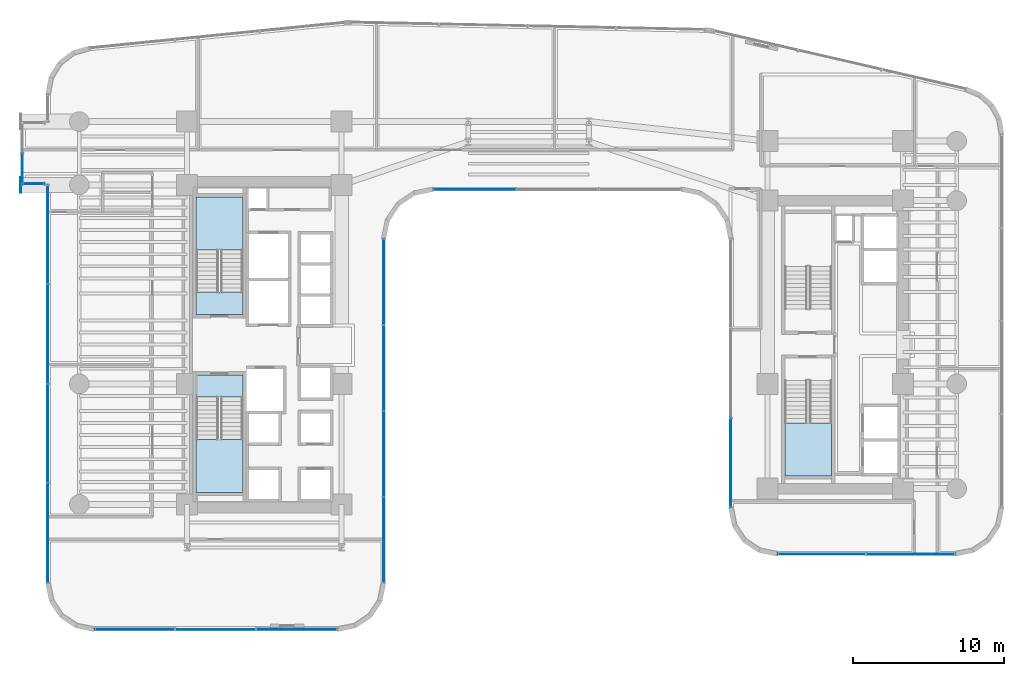
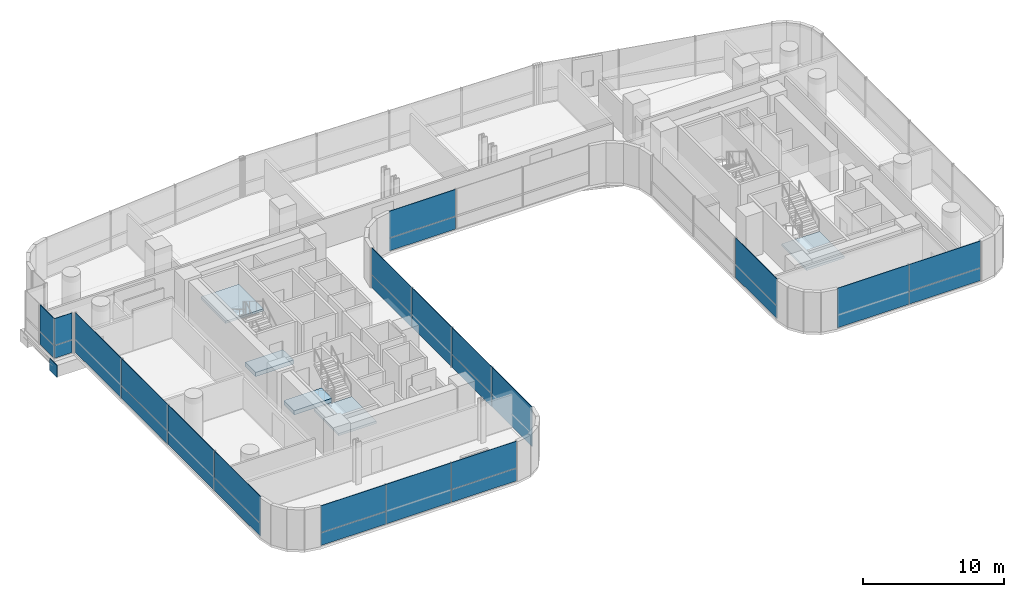
# One storey, part 29 of 40: 29 plates, 5 slabs, 11 elements without a shape of their own.
"""IFC4 building model written with IfcOpenShell, lengths in metres."""

from ifc_helpers import new_model, si_unit, direction, frame, origin, origin_2d, place, context, subcontext, project, spatial, polyline, rectangle, outline, extrude, source, transform, mapped, material, layer, layer_set, type_object, element, aggregate, save


model = new_model("IFC4")

# Units and contexts
model_context = context("Model", 3, precision=1e-05, world=origin(), true_north=direction((0.0, 1.0)))
body_context = subcontext(model_context, "Body", "Model", "MODEL_VIEW")
ifc_project = project(units=[si_unit("LENGTHUNIT", "METRE"), si_unit("AREAUNIT", "SQUARE_METRE"), si_unit("VOLUMEUNIT", "CUBIC_METRE"), si_unit("PLANEANGLEUNIT", "RADIAN"), si_unit("MASSUNIT", "GRAM", prefix="KILO")], contexts=[model_context])

# Site, building, storey
site_placement = place(None, origin())
site = spatial("IfcSite", under=ifc_project, at=site_placement, CompositionType="ELEMENT")
building_placement = place(site_placement, origin())
building = spatial("IfcBuilding", under=site, at=building_placement, Name="Valdorenza Pilgrim Sanctuary Tower", CompositionType="ELEMENT")
storey_placement = place(building_placement, frame((0.0, 0.0, 51.89990234375)))
storey = spatial("IfcBuildingStorey", under=building, at=storey_placement, Name="L12", CompositionType="ELEMENT", Elevation=51.89990234375)

# Stair, slab
ifc_material_1 = material(Name="Concrete C40/50", Category="concrete")
stair_type = type_object("IfcStairType", Name="STR-DOG-CORE", PredefinedType="HALF_TURN_STAIR", material=ifc_material_1)
stair_1_placement = place(storey_placement, origin())
stair_1 = element("IfcStair", 1, at=stair_1_placement, inside=storey, type_object=stair_type, Name="L12 ST-A1", PredefinedType="HALF_TURN_STAIR")
ifc_layer_1 = layer(ifc_material_1, 0.199951171875, Name="Concrete C40/50")
ifc_layer_set_1 = layer_set([ifc_layer_1], Name="Concrete C40/50")
slab_type_1 = type_object("IfcSlabType", Name="SLAB-STL-200", PredefinedType="LANDING", material=ifc_layer_set_1)
slab_1_placement = place(storey_placement, frame((0.0, 0.0, 1.650146484375)))
slab_1 = element("IfcSlab", 2, at=slab_1_placement, type_object=slab_type_1, Name="ST-A1 landing 1", PredefinedType="LANDING", context=body_context, shape_type="SweptSolid", body=[
    extrude(outline(polyline([(-18.93994140625, 6.280029296875), (-18.93994140625, 9.800048828125), (-22.050048828125, 9.800048828125), (-22.050048828125, 6.280029296875), (-18.93994140625, 6.280029296875)])), origin(), (0.0, 0.0, 1.0), 0.199951171875),
])
aggregate(stair_1, [slab_1])

stair_2_placement = place(storey_placement, origin())
stair_2 = element("IfcStair", 3, at=stair_2_placement, inside=storey, type_object=stair_type, Name="L12 ST-A2", PredefinedType="HALF_TURN_STAIR")
slab_2_placement = place(storey_placement, frame((0.0, 0.0, 1.650146484375)))
slab_2 = element("IfcSlab", 4, at=slab_2_placement, type_object=slab_type_1, Name="ST-A2 landing 1", PredefinedType="LANDING", context=body_context, shape_type="SweptSolid", body=[
    extrude(outline(polyline([(-22.050048828125, -6.280029296875), (-22.050048828125, -9.800048828125), (-18.93994140625, -9.800048828125), (-18.93994140625, -6.280029296875), (-22.050048828125, -6.280029296875)])), origin(), (0.0, 0.0, 1.0), 0.199951171875),
])
aggregate(stair_2, [slab_2])

stair_3_placement = place(storey_placement, origin())
stair_3 = element("IfcStair", 5, at=stair_3_placement, inside=storey, type_object=stair_type, Name="L12 ST-B2", PredefinedType="HALF_TURN_STAIR")
slab_3_placement = place(storey_placement, frame((0.0, 0.0, 1.650146484375)))
slab_3 = element("IfcSlab", 6, at=slab_3_placement, type_object=slab_type_1, Name="ST-B2 landing 1", PredefinedType="LANDING", context=body_context, shape_type="SweptSolid", body=[
    extrude(outline(polyline([(17.0, -5.179931640625), (17.0, -8.699951171875), (20.110107421875, -8.699951171875), (20.110107421875, -5.179931640625), (17.0, -5.179931640625)])), origin(), (0.0, 0.0, 1.0), 0.199951171875),
])
aggregate(stair_3, [slab_3])

# Slabs
ifc_material_2 = material(Name="Concrete C50/60", Category="concrete")
ifc_layer_2 = layer(ifc_material_2, 0.39990234375, Name="Concrete C50/60")
ifc_layer_set_2 = layer_set([ifc_layer_2], Name="Concrete C50/60")
slab_type_2 = type_object("IfcSlabType", Name="SLAB-TRF-400", PredefinedType="FLOOR", material=ifc_layer_set_2)
slab_4_placement = place(storey_placement, frame((0.0, 0.0, -0.35986328125)))
element("IfcSlab", 7, at=slab_4_placement, inside=storey, type_object=slab_type_2, Name="L12 ST-A1 Structural Stair Landing Bearing Slab", PredefinedType="FLOOR", context=body_context, shape_type="SweptSolid", body=[
    extrude(outline(polyline([(-22.050048828125, 2.0), (-18.93994140625, 2.0), (-18.93994140625, 3.485107421875), (-22.050048828125, 3.485107421875), (-22.050048828125, 2.0)])), origin(), (0.0, 0.0, 1.0), 0.35986328125),
])
slab_5_placement = place(storey_placement, frame((0.0, 0.0, -0.35986328125)))
element("IfcSlab", 8, at=slab_5_placement, inside=storey, type_object=slab_type_2, Name="L12 ST-A2 Structural Stair Landing Bearing Slab", PredefinedType="FLOOR", context=body_context, shape_type="SweptSolid", body=[
    extrude(outline(polyline([(-22.050048828125, -3.485107421875), (-18.93994140625, -3.485107421875), (-18.93994140625, -2.0), (-22.050048828125, -2.0), (-22.050048828125, -3.485107421875)])), origin(), (0.0, 0.0, 1.0), 0.35986328125),
])

# Plate
ifc_material_3 = material(Name="Steel ASTM A572 Grade 42", Category="steel")
ifc_layer_3 = layer(ifc_material_3, 0.06005859375, Name="Steel ASTM A572 Grade 42")
ifc_layer_set_3 = layer_set([ifc_layer_3], Name="Steel ASTM A572 Grade 42")
plate_type_1 = type_object("IfcPlateType", Name="PLT-CAP-60", PredefinedType="SHEET", material=ifc_layer_set_3)
shared_shape_1 = source(origin(), body_context, "Body", "SweptSolid", [
    extrude(rectangle(XDim=0.06005859375, YDim=1.0400390625, at=origin_2d()), origin(), (0.0, 0.0, 1.0), 1.0400390625),
])
plate_1_placement = place(storey_placement, frame((-33.679931640625, 10.60009765625, -1.260009765625), z_axis=(0.0, 0.0, 1.0), x_axis=(1.0, 0.0, 0.0)))
element("IfcPlate", 9, at=plate_1_placement, inside=storey, type_object=plate_type_1, Name="L12 BOX-WA-L12 Cantilever Tip End Cap S", PredefinedType="SHEET", context=body_context, shape_type="MappedRepresentation", body=[
    mapped(shared_shape_1, transform((0.0, 0.0, 0.0), x_axis=(1.0, 0.0, 0.0), y_axis=(0.0, 1.0, 0.0), z_axis=(0.0, 0.0, 1.0), scale=1.0)),
])

# Curtain wall, plates
ifc_material_4 = material(Name="Curtain-wall IGU glazing", Category="glass")
curtain_wall_type_1 = type_object("IfcCurtainWallType", Name="CW-SYS-03", PredefinedType="NOTDEFINED", material=ifc_material_4)
curtain_wall_1_placement = place(storey_placement, origin())
curtain_wall_1 = element("IfcCurtainWall", 10, at=curtain_wall_1_placement, inside=storey, type_object=curtain_wall_type_1, Name="L12 Curtain Wall CW-L12-1-26", PredefinedType="NOTDEFINED")
ifc_material_5 = material(Name="Honed travertine limestone", Category="masonry")
ifc_layer_4 = layer(ifc_material_5, 0.050048828125, Name="Honed travertine limestone")
ifc_layer_set_4 = layer_set([ifc_layer_4], Name="Honed travertine limestone")
plate_type_2 = type_object("IfcPlateType", Name="CW-SPN-TRV", PredefinedType="USERDEFINED", material=ifc_layer_set_4)
shared_shape_2 = source(origin(), body_context, "Body", "SweptSolid", [
    extrude(rectangle(XDim=5.869140625, YDim=0.06005859375, at=origin_2d()), origin(), (0.0, 0.0, 1.0), 1.10009765625),
])
plate_2_placement = place(storey_placement, frame((25.344482421875, -13.889892578125, 0.010009765625), z_axis=(0.0, 0.0, 1.0), x_axis=(-1.0, 0.0, 0.0)))
plate_2 = element("IfcPlate", 11, at=plate_2_placement, type_object=plate_type_2, Name="CW-L12-1-26 Travertine Spandrel 1", ObjectType="SPANDREL", PredefinedType="USERDEFINED", context=body_context, shape_type="MappedRepresentation", body=[
    mapped(shared_shape_2, transform((0.0, 0.0, 0.0), x_axis=(1.0, 0.0, 0.0), y_axis=(0.0, 1.0, 0.0), z_axis=(0.0, 0.0, 1.0), scale=1.0)),
])
ifc_material_6 = material(Name="Ceramic-fritted low-E IGU glazing", Category="glass")
ifc_layer_5 = layer(ifc_material_6, 0.035888671875, Name="Ceramic-fritted low-E IGU glazing")
ifc_layer_set_5 = layer_set([ifc_layer_5], Name="Ceramic-fritted low-E IGU glazing")
plate_type_3 = type_object("IfcPlateType", Name="CW-GLZ-IGU", PredefinedType="USERDEFINED", material=ifc_layer_set_5)
shared_shape_3 = source(origin(), body_context, "Body", "SweptSolid", [
    extrude(rectangle(XDim=5.869140625, YDim=0.050048828125, at=origin_2d()), origin(), (0.0, 0.0, 1.0), 2.320068359375),
])
plate_3_placement = place(storey_placement, frame((25.344482421875, -13.889892578125, 1.1298828125), z_axis=(0.0, 0.0, 1.0), x_axis=(-1.0, 0.0, 0.0)))
plate_3 = element("IfcPlate", 12, at=plate_3_placement, type_object=plate_type_3, Name="CW-L12-1-26 Facade Panel 1", ObjectType="GLAZING", PredefinedType="USERDEFINED", context=body_context, shape_type="MappedRepresentation", body=[
    mapped(shared_shape_3, transform((0.0, 0.0, 0.0), x_axis=(1.0, 0.0, 0.0), y_axis=(0.0, 1.0, 0.0), z_axis=(0.0, 0.0, 1.0), scale=1.0)),
])
shared_shape_4 = source(origin(), body_context, "Body", "SweptSolid", [
    extrude(rectangle(XDim=5.869140625, YDim=0.050048828125, at=origin_2d()), origin(), (0.0, 0.0, 1.0), 3.43994140625),
])
plate_4_placement = place(storey_placement, frame((19.455322265625, -13.889892578125, 0.010009765625), z_axis=(0.0, 0.0, 1.0), x_axis=(-1.0, 0.0, 0.0)))
plate_4 = element("IfcPlate", 13, at=plate_4_placement, type_object=plate_type_3, Name="CW-L12-1-26 Full-Height Facade Panel 2", ObjectType="GLAZING", PredefinedType="USERDEFINED", context=body_context, shape_type="MappedRepresentation", body=[
    mapped(shared_shape_4, transform((0.0, 0.0, 0.0), x_axis=(1.0, 0.0, 0.0), y_axis=(0.0, 1.0, 0.0), z_axis=(0.0, 0.0, 1.0), scale=1.0)),
])
aggregate(curtain_wall_1, [plate_2, plate_3, plate_4])

curtain_wall_2_placement = place(storey_placement, origin())
curtain_wall_2 = element("IfcCurtainWall", 14, at=curtain_wall_2_placement, inside=storey, type_object=curtain_wall_type_1, Name="L12 Curtain Wall CW-L12-1-31", PredefinedType="NOTDEFINED")
shared_shape_5 = source(origin(), body_context, "Body", "SweptSolid", [
    extrude(rectangle(XDim=5.913330078125, YDim=0.06005859375, at=origin_2d()), origin(), (0.0, 0.0, 1.0), 1.10009765625),
])
plate_5_placement = place(storey_placement, frame((13.409912109375, -7.822509765625, 0.010009765625), z_axis=(0.0, 0.0, 1.0), x_axis=(0.0, 1.0, 0.0)))
plate_5 = element("IfcPlate", 15, at=plate_5_placement, type_object=plate_type_2, Name="CW-L12-1-31 Travertine Spandrel 1", ObjectType="SPANDREL", PredefinedType="USERDEFINED", context=body_context, shape_type="MappedRepresentation", body=[
    mapped(shared_shape_5, transform((0.0, 0.0, 0.0), x_axis=(1.0, 0.0, 0.0), y_axis=(0.0, 1.0, 0.0), z_axis=(0.0, 0.0, 1.0), scale=1.0)),
])
shared_shape_6 = source(origin(), body_context, "Body", "SweptSolid", [
    extrude(rectangle(XDim=5.913330078125, YDim=0.050048828125, at=origin_2d()), origin(), (0.0, 0.0, 1.0), 2.320068359375),
])
plate_6_placement = place(storey_placement, frame((13.409912109375, -7.822509765625, 1.1298828125), z_axis=(0.0, 0.0, 1.0), x_axis=(0.0, 1.0, 0.0)))
plate_6 = element("IfcPlate", 16, at=plate_6_placement, type_object=plate_type_3, Name="CW-L12-1-31 Facade Panel 1", ObjectType="GLAZING", PredefinedType="USERDEFINED", context=body_context, shape_type="MappedRepresentation", body=[
    mapped(shared_shape_6, transform((0.0, 0.0, 0.0), x_axis=(1.0, 0.0, 0.0), y_axis=(0.0, 1.0, 0.0), z_axis=(0.0, 0.0, 1.0), scale=1.0)),
])
aggregate(curtain_wall_2, [plate_5, plate_6])

curtain_wall_type_2 = type_object("IfcCurtainWallType", Name="CW-SYS-02", PredefinedType="NOTDEFINED", material=ifc_material_4)
curtain_wall_3_placement = place(storey_placement, origin())
curtain_wall_3 = element("IfcCurtainWall", 17, at=curtain_wall_3_placement, inside=storey, type_object=curtain_wall_type_2, Name="L12 Curtain Wall CW-L12-1-36", PredefinedType="NOTDEFINED")
shared_shape_7 = source(origin(), body_context, "Body", "SweptSolid", [
    extrude(rectangle(XDim=5.453857421875, YDim=0.06005859375, at=origin_2d()), origin(), (0.0, 0.0, 1.0), 1.10009765625),
])
plate_7_placement = place(storey_placement, frame((-3.573974609375, 10.31005859375, 0.010009765625), z_axis=(0.0, 0.0, 1.0), x_axis=(-1.0, 0.0, 0.0)))
plate_7 = element("IfcPlate", 18, at=plate_7_placement, type_object=plate_type_2, Name="CW-L12-1-36 Travertine Spandrel 3", ObjectType="SPANDREL", PredefinedType="USERDEFINED", context=body_context, shape_type="MappedRepresentation", body=[
    mapped(shared_shape_7, transform((0.0, 0.0, 0.0), x_axis=(1.0, 0.0, 0.0), y_axis=(0.0, 1.0, 0.0), z_axis=(0.0, 0.0, 1.0), scale=1.0)),
])
shared_shape_8 = source(origin(), body_context, "Body", "SweptSolid", [
    extrude(rectangle(XDim=5.453857421875, YDim=0.050048828125, at=origin_2d()), origin(), (0.0, 0.0, 1.0), 2.320068359375),
])
plate_8_placement = place(storey_placement, frame((-3.573974609375, 10.31005859375, 1.1298828125), z_axis=(0.0, 0.0, 1.0), x_axis=(-1.0, 0.0, 0.0)))
plate_8 = element("IfcPlate", 19, at=plate_8_placement, type_object=plate_type_3, Name="CW-L12-1-36 Facade Panel 3", ObjectType="GLAZING", PredefinedType="USERDEFINED", context=body_context, shape_type="MappedRepresentation", body=[
    mapped(shared_shape_8, transform((0.0, 0.0, 0.0), x_axis=(1.0, 0.0, 0.0), y_axis=(0.0, 1.0, 0.0), z_axis=(0.0, 0.0, 1.0), scale=1.0)),
])
aggregate(curtain_wall_3, [plate_7, plate_8])

curtain_wall_4_placement = place(storey_placement, origin())
curtain_wall_4 = element("IfcCurtainWall", 20, at=curtain_wall_4_placement, inside=storey, type_object=curtain_wall_type_2, Name="L12 Curtain Wall CW-L12-1-41", PredefinedType="NOTDEFINED")
shared_shape_9 = source(origin(), body_context, "Body", "SweptSolid", [
    extrude(rectangle(XDim=5.679931640625, YDim=0.06005859375, at=origin_2d()), origin(), (0.0, 0.0, 1.0), 1.10009765625),
])
plate_9_placement = place(storey_placement, frame((-9.610107421875, 4.160888671875, 0.010009765625), z_axis=(0.0, 0.0, 1.0), x_axis=(0.0, -1.0, 0.0)))
plate_9 = element("IfcPlate", 21, at=plate_9_placement, type_object=plate_type_2, Name="CW-L12-1-41 Travertine Spandrel 1", ObjectType="SPANDREL", PredefinedType="USERDEFINED", context=body_context, shape_type="MappedRepresentation", body=[
    mapped(shared_shape_9, transform((0.0, 0.0, 0.0), x_axis=(1.0, 0.0, 0.0), y_axis=(0.0, 1.0, 0.0), z_axis=(0.0, 0.0, 1.0), scale=1.0)),
])
plate_10_placement = place(storey_placement, frame((-9.610107421875, -7.2392578125, 0.010009765625), z_axis=(0.0, 0.0, 1.0), x_axis=(0.0, -1.0, 0.0)))
plate_10 = element("IfcPlate", 22, at=plate_10_placement, type_object=plate_type_2, Name="CW-L12-1-41 Travertine Spandrel 3", ObjectType="SPANDREL", PredefinedType="USERDEFINED", context=body_context, shape_type="MappedRepresentation", body=[
    mapped(shared_shape_9, transform((0.0, 0.0, 0.0), x_axis=(1.0, 0.0, 0.0), y_axis=(0.0, 1.0, 0.0), z_axis=(0.0, 0.0, 1.0), scale=1.0)),
])
shared_shape_10 = source(origin(), body_context, "Body", "SweptSolid", [
    extrude(rectangle(XDim=5.679931640625, YDim=0.050048828125, at=origin_2d()), origin(), (0.0, 0.0, 1.0), 2.320068359375),
])
plate_11_placement = place(storey_placement, frame((-9.610107421875, 4.160888671875, 1.1298828125), z_axis=(0.0, 0.0, 1.0), x_axis=(0.0, -1.0, 0.0)))
plate_11 = element("IfcPlate", 23, at=plate_11_placement, type_object=plate_type_3, Name="CW-L12-1-41 Facade Panel 1", ObjectType="GLAZING", PredefinedType="USERDEFINED", context=body_context, shape_type="MappedRepresentation", body=[
    mapped(shared_shape_10, transform((0.0, 0.0, 0.0), x_axis=(1.0, 0.0, 0.0), y_axis=(0.0, 1.0, 0.0), z_axis=(0.0, 0.0, 1.0), scale=1.0)),
])
plate_12_placement = place(storey_placement, frame((-9.610107421875, -7.2392578125, 1.1298828125), z_axis=(0.0, 0.0, 1.0), x_axis=(0.0, -1.0, 0.0)))
plate_12 = element("IfcPlate", 24, at=plate_12_placement, type_object=plate_type_3, Name="CW-L12-1-41 Facade Panel 3", ObjectType="GLAZING", PredefinedType="USERDEFINED", context=body_context, shape_type="MappedRepresentation", body=[
    mapped(shared_shape_10, transform((0.0, 0.0, 0.0), x_axis=(1.0, 0.0, 0.0), y_axis=(0.0, 1.0, 0.0), z_axis=(0.0, 0.0, 1.0), scale=1.0)),
])
shared_shape_11 = source(origin(), body_context, "Body", "SweptSolid", [
    extrude(rectangle(XDim=5.679931640625, YDim=0.050048828125, at=origin_2d()), origin(), (0.0, 0.0, 1.0), 3.43994140625),
])
plate_13_placement = place(storey_placement, frame((-9.610107421875, -1.539306640625, 0.010009765625), z_axis=(0.0, 0.0, 1.0), x_axis=(0.0, -1.0, 0.0)))
plate_13 = element("IfcPlate", 25, at=plate_13_placement, type_object=plate_type_3, Name="CW-L12-1-41 Full-Height Facade Panel 2", ObjectType="GLAZING", PredefinedType="USERDEFINED", context=body_context, shape_type="MappedRepresentation", body=[
    mapped(shared_shape_11, transform((0.0, 0.0, 0.0), x_axis=(1.0, 0.0, 0.0), y_axis=(0.0, 1.0, 0.0), z_axis=(0.0, 0.0, 1.0), scale=1.0)),
])
plate_14_placement = place(storey_placement, frame((-9.610107421875, -12.939208984375, 0.010009765625), z_axis=(0.0, 0.0, 1.0), x_axis=(0.0, -1.0, 0.0)))
plate_14 = element("IfcPlate", 26, at=plate_14_placement, type_object=plate_type_3, Name="CW-L12-1-41 Full-Height Facade Panel 4", ObjectType="GLAZING", PredefinedType="USERDEFINED", context=body_context, shape_type="MappedRepresentation", body=[
    mapped(shared_shape_11, transform((0.0, 0.0, 0.0), x_axis=(1.0, 0.0, 0.0), y_axis=(0.0, 1.0, 0.0), z_axis=(0.0, 0.0, 1.0), scale=1.0)),
])
aggregate(curtain_wall_4, [plate_9, plate_11, plate_13, plate_10, plate_12, plate_14])

curtain_wall_5_placement = place(storey_placement, origin())
curtain_wall_5 = element("IfcCurtainWall", 27, at=curtain_wall_5_placement, inside=storey, type_object=curtain_wall_type_2, Name="L12 Curtain Wall CW-L12-1-46", PredefinedType="NOTDEFINED")
shared_shape_12 = source(origin(), body_context, "Body", "SweptSolid", [
    extrude(rectangle(XDim=5.339599609375, YDim=0.06005859375, at=origin_2d()), origin(), (0.0, 0.0, 1.0), 1.10009765625),
])
plate_15_placement = place(storey_placement, frame((-15.390380859375, -18.889892578125, 0.010009765625), z_axis=(0.0, 0.0, 1.0), x_axis=(-1.0, 0.0, 0.0)))
plate_15 = element("IfcPlate", 28, at=plate_15_placement, type_object=plate_type_2, Name="CW-L12-1-46 Travertine Spandrel 1", ObjectType="SPANDREL", PredefinedType="USERDEFINED", context=body_context, shape_type="MappedRepresentation", body=[
    mapped(shared_shape_12, transform((0.0, 0.0, 0.0), x_axis=(1.0, 0.0, 0.0), y_axis=(0.0, 1.0, 0.0), z_axis=(0.0, 0.0, 1.0), scale=1.0)),
])
plate_16_placement = place(storey_placement, frame((-26.109619140625, -18.889892578125, 0.010009765625), z_axis=(0.0, 0.0, 1.0), x_axis=(-1.0, 0.0, 0.0)))
plate_16 = element("IfcPlate", 29, at=plate_16_placement, type_object=plate_type_2, Name="CW-L12-1-46 Travertine Spandrel 3", ObjectType="SPANDREL", PredefinedType="USERDEFINED", context=body_context, shape_type="MappedRepresentation", body=[
    mapped(shared_shape_12, transform((0.0, 0.0, 0.0), x_axis=(1.0, 0.0, 0.0), y_axis=(0.0, 1.0, 0.0), z_axis=(0.0, 0.0, 1.0), scale=1.0)),
])
shared_shape_13 = source(origin(), body_context, "Body", "SweptSolid", [
    extrude(rectangle(XDim=5.339599609375, YDim=0.050048828125, at=origin_2d()), origin(), (0.0, 0.0, 1.0), 2.320068359375),
])
plate_17_placement = place(storey_placement, frame((-15.390380859375, -18.889892578125, 1.1298828125), z_axis=(0.0, 0.0, 1.0), x_axis=(-1.0, 0.0, 0.0)))
plate_17 = element("IfcPlate", 30, at=plate_17_placement, type_object=plate_type_3, Name="CW-L12-1-46 Facade Panel 1", ObjectType="GLAZING", PredefinedType="USERDEFINED", context=body_context, shape_type="MappedRepresentation", body=[
    mapped(shared_shape_13, transform((0.0, 0.0, 0.0), x_axis=(1.0, 0.0, 0.0), y_axis=(0.0, 1.0, 0.0), z_axis=(0.0, 0.0, 1.0), scale=1.0)),
])
plate_18_placement = place(storey_placement, frame((-26.109619140625, -18.889892578125, 1.1298828125), z_axis=(0.0, 0.0, 1.0), x_axis=(-1.0, 0.0, 0.0)))
plate_18 = element("IfcPlate", 31, at=plate_18_placement, type_object=plate_type_3, Name="CW-L12-1-46 Facade Panel 3", ObjectType="GLAZING", PredefinedType="USERDEFINED", context=body_context, shape_type="MappedRepresentation", body=[
    mapped(shared_shape_13, transform((0.0, 0.0, 0.0), x_axis=(1.0, 0.0, 0.0), y_axis=(0.0, 1.0, 0.0), z_axis=(0.0, 0.0, 1.0), scale=1.0)),
])
shared_shape_14 = source(origin(), body_context, "Body", "SweptSolid", [
    extrude(rectangle(XDim=5.339599609375, YDim=0.050048828125, at=origin_2d()), origin(), (0.0, 0.0, 1.0), 3.43994140625),
])
plate_19_placement = place(storey_placement, frame((-20.75, -18.889892578125, 0.010009765625), z_axis=(0.0, 0.0, 1.0), x_axis=(-1.0, 0.0, 0.0)))
plate_19 = element("IfcPlate", 32, at=plate_19_placement, type_object=plate_type_3, Name="CW-L12-1-46 Full-Height Facade Panel 2", ObjectType="GLAZING", PredefinedType="USERDEFINED", context=body_context, shape_type="MappedRepresentation", body=[
    mapped(shared_shape_14, transform((0.0, 0.0, 0.0), x_axis=(1.0, 0.0, 0.0), y_axis=(0.0, 1.0, 0.0), z_axis=(0.0, 0.0, 1.0), scale=1.0)),
])
aggregate(curtain_wall_5, [plate_15, plate_17, plate_19, plate_16, plate_18])

curtain_wall_6_placement = place(storey_placement, origin())
curtain_wall_6 = element("IfcCurtainWall", 33, at=curtain_wall_6_placement, inside=storey, type_object=curtain_wall_type_2, Name="L12 Curtain Wall CW-L12-BOX-WA-L12-S", PredefinedType="NOTDEFINED")
shared_shape_15 = source(origin(), body_context, "Body", "SweptSolid", [
    extrude(rectangle(XDim=1.43994140625, YDim=0.06005859375, at=origin_2d()), origin(), (0.0, 0.0, 1.0), 1.10009765625),
])
plate_20_placement = place(storey_placement, frame((-32.840087890625, 10.679931640625, 0.010009765625), z_axis=(0.0, 0.0, 1.0), x_axis=(-1.0, 0.0, 0.0)))
plate_20 = element("IfcPlate", 34, at=plate_20_placement, type_object=plate_type_2, Name="CW-L12-BOX-WA-L12-S Travertine Spandrel 1", ObjectType="SPANDREL", PredefinedType="USERDEFINED", context=body_context, shape_type="MappedRepresentation", body=[
    mapped(shared_shape_15, transform((0.0, 0.0, 0.0), x_axis=(1.0, 0.0, 0.0), y_axis=(0.0, 1.0, 0.0), z_axis=(0.0, 0.0, 1.0), scale=1.0)),
])
shared_shape_16 = source(origin(), body_context, "Body", "SweptSolid", [
    extrude(rectangle(XDim=1.43994140625, YDim=0.050048828125, at=origin_2d()), origin(), (0.0, 0.0, 1.0), 2.320068359375),
])
plate_21_placement = place(storey_placement, frame((-32.840087890625, 10.679931640625, 1.1298828125), z_axis=(0.0, 0.0, 1.0), x_axis=(-1.0, 0.0, 0.0)))
plate_21 = element("IfcPlate", 35, at=plate_21_placement, type_object=plate_type_3, Name="CW-L12-BOX-WA-L12-S Facade Panel 1", ObjectType="GLAZING", PredefinedType="USERDEFINED", context=body_context, shape_type="MappedRepresentation", body=[
    mapped(shared_shape_16, transform((0.0, 0.0, 0.0), x_axis=(1.0, 0.0, 0.0), y_axis=(0.0, 1.0, 0.0), z_axis=(0.0, 0.0, 1.0), scale=1.0)),
])
aggregate(curtain_wall_6, [plate_20, plate_21])

curtain_wall_7_placement = place(storey_placement, origin())
curtain_wall_7 = element("IfcCurtainWall", 36, at=curtain_wall_7_placement, inside=storey, type_object=curtain_wall_type_2, Name="L12 Curtain Wall CW-L12-1-1S1", PredefinedType="NOTDEFINED")
shared_shape_17 = source(origin(), body_context, "Body", "SweptSolid", [
    extrude(rectangle(XDim=6.577392578125, YDim=0.06005859375, at=origin_2d()), origin(), (0.0, 0.0, 1.0), 1.10009765625),
])
plate_22_placement = place(storey_placement, frame((-31.889892578125, -12.490478515625, 0.010009765625), z_axis=(0.0, 0.0, 1.0), x_axis=(0.0, 1.0, 0.0)))
plate_22 = element("IfcPlate", 37, at=plate_22_placement, type_object=plate_type_2, Name="CW-L12-1-1S1 Travertine Spandrel 1", ObjectType="SPANDREL", PredefinedType="USERDEFINED", context=body_context, shape_type="MappedRepresentation", body=[
    mapped(shared_shape_17, transform((0.0, 0.0, 0.0), x_axis=(1.0, 0.0, 0.0), y_axis=(0.0, 1.0, 0.0), z_axis=(0.0, 0.0, 1.0), scale=1.0)),
])
plate_23_placement = place(storey_placement, frame((-31.889892578125, 0.7041015625, 0.010009765625), z_axis=(0.0, 0.0, 1.0), x_axis=(0.0, 1.0, 0.0)))
plate_23 = element("IfcPlate", 38, at=plate_23_placement, type_object=plate_type_2, Name="CW-L12-1-1S1 Travertine Spandrel 3", ObjectType="SPANDREL", PredefinedType="USERDEFINED", context=body_context, shape_type="MappedRepresentation", body=[
    mapped(shared_shape_17, transform((0.0, 0.0, 0.0), x_axis=(1.0, 0.0, 0.0), y_axis=(0.0, 1.0, 0.0), z_axis=(0.0, 0.0, 1.0), scale=1.0)),
])
shared_shape_18 = source(origin(), body_context, "Body", "SweptSolid", [
    extrude(rectangle(XDim=6.577392578125, YDim=0.050048828125, at=origin_2d()), origin(), (0.0, 0.0, 1.0), 2.320068359375),
])
plate_24_placement = place(storey_placement, frame((-31.889892578125, -12.490478515625, 1.1298828125), z_axis=(0.0, 0.0, 1.0), x_axis=(0.0, 1.0, 0.0)))
plate_24 = element("IfcPlate", 39, at=plate_24_placement, type_object=plate_type_3, Name="CW-L12-1-1S1 Facade Panel 1", ObjectType="GLAZING", PredefinedType="USERDEFINED", context=body_context, shape_type="MappedRepresentation", body=[
    mapped(shared_shape_18, transform((0.0, 0.0, 0.0), x_axis=(1.0, 0.0, 0.0), y_axis=(0.0, 1.0, 0.0), z_axis=(0.0, 0.0, 1.0), scale=1.0)),
])
plate_25_placement = place(storey_placement, frame((-31.889892578125, 0.7041015625, 1.1298828125), z_axis=(0.0, 0.0, 1.0), x_axis=(0.0, 1.0, 0.0)))
plate_25 = element("IfcPlate", 40, at=plate_25_placement, type_object=plate_type_3, Name="CW-L12-1-1S1 Facade Panel 3", ObjectType="GLAZING", PredefinedType="USERDEFINED", context=body_context, shape_type="MappedRepresentation", body=[
    mapped(shared_shape_18, transform((0.0, 0.0, 0.0), x_axis=(1.0, 0.0, 0.0), y_axis=(0.0, 1.0, 0.0), z_axis=(0.0, 0.0, 1.0), scale=1.0)),
])
shared_shape_19 = source(origin(), body_context, "Body", "SweptSolid", [
    extrude(rectangle(XDim=6.577392578125, YDim=0.050048828125, at=origin_2d()), origin(), (0.0, 0.0, 1.0), 3.43994140625),
])
plate_26_placement = place(storey_placement, frame((-31.889892578125, -5.893310546875, 0.010009765625), z_axis=(0.0, 0.0, 1.0), x_axis=(0.0, 1.0, 0.0)))
plate_26 = element("IfcPlate", 41, at=plate_26_placement, type_object=plate_type_3, Name="CW-L12-1-1S1 Full-Height Facade Panel 2", ObjectType="GLAZING", PredefinedType="USERDEFINED", context=body_context, shape_type="MappedRepresentation", body=[
    mapped(shared_shape_19, transform((0.0, 0.0, 0.0), x_axis=(1.0, 0.0, 0.0), y_axis=(0.0, 1.0, 0.0), z_axis=(0.0, 0.0, 1.0), scale=1.0)),
])
plate_27_placement = place(storey_placement, frame((-31.889892578125, 7.301513671875, 0.010009765625), z_axis=(0.0, 0.0, 1.0), x_axis=(0.0, 1.0, 0.0)))
plate_27 = element("IfcPlate", 42, at=plate_27_placement, type_object=plate_type_3, Name="CW-L12-1-1S1 Full-Height Facade Panel 4", ObjectType="GLAZING", PredefinedType="USERDEFINED", context=body_context, shape_type="MappedRepresentation", body=[
    mapped(shared_shape_19, transform((0.0, 0.0, 0.0), x_axis=(1.0, 0.0, 0.0), y_axis=(0.0, 1.0, 0.0), z_axis=(0.0, 0.0, 1.0), scale=1.0)),
])
aggregate(curtain_wall_7, [plate_22, plate_24, plate_26, plate_23, plate_25, plate_27])

curtain_wall_8_placement = place(storey_placement, origin())
curtain_wall_8 = element("IfcCurtainWall", 43, at=curtain_wall_8_placement, inside=storey, type_object=curtain_wall_type_2, Name="L12 Curtain Wall CW-L12-BOX-WA-L12-F", PredefinedType="NOTDEFINED")
shared_shape_20 = source(origin(), body_context, "Body", "SweptSolid", [
    extrude(rectangle(XDim=2.0, YDim=0.06005859375, at=origin_2d()), origin(), (0.0, 0.0, 1.0), 1.10009765625),
])
plate_28_placement = place(storey_placement, frame((-33.570068359375, 11.68994140625, 0.010009765625), z_axis=(0.0, 0.0, 1.0), x_axis=(0.0, 1.0, 0.0)))
plate_28 = element("IfcPlate", 44, at=plate_28_placement, type_object=plate_type_2, Name="CW-L12-BOX-WA-L12-F Travertine Spandrel 1", ObjectType="SPANDREL", PredefinedType="USERDEFINED", context=body_context, shape_type="MappedRepresentation", body=[
    mapped(shared_shape_20, transform((0.0, 0.0, 0.0), x_axis=(1.0, 0.0, 0.0), y_axis=(0.0, 1.0, 0.0), z_axis=(0.0, 0.0, 1.0), scale=1.0)),
])
shared_shape_21 = source(origin(), body_context, "Body", "SweptSolid", [
    extrude(rectangle(XDim=2.0, YDim=0.050048828125, at=origin_2d()), origin(), (0.0, 0.0, 1.0), 2.320068359375),
])
plate_29_placement = place(storey_placement, frame((-33.570068359375, 11.68994140625, 1.1298828125), z_axis=(0.0, 0.0, 1.0), x_axis=(0.0, 1.0, 0.0)))
plate_29 = element("IfcPlate", 45, at=plate_29_placement, type_object=plate_type_3, Name="CW-L12-BOX-WA-L12-F Facade Panel 1", ObjectType="GLAZING", PredefinedType="USERDEFINED", context=body_context, shape_type="MappedRepresentation", body=[
    mapped(shared_shape_21, transform((0.0, 0.0, 0.0), x_axis=(1.0, 0.0, 0.0), y_axis=(0.0, 1.0, 0.0), z_axis=(0.0, 0.0, 1.0), scale=1.0)),
])
aggregate(curtain_wall_8, [plate_28, plate_29])

save(model, "model.ifc")
